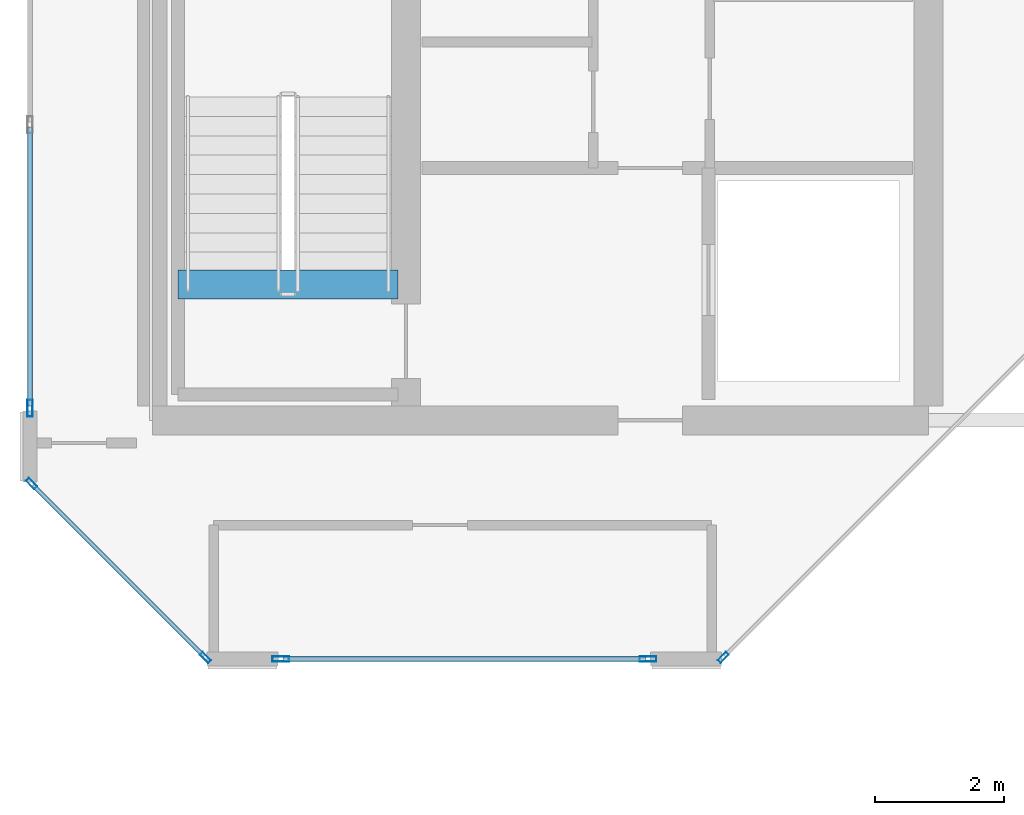
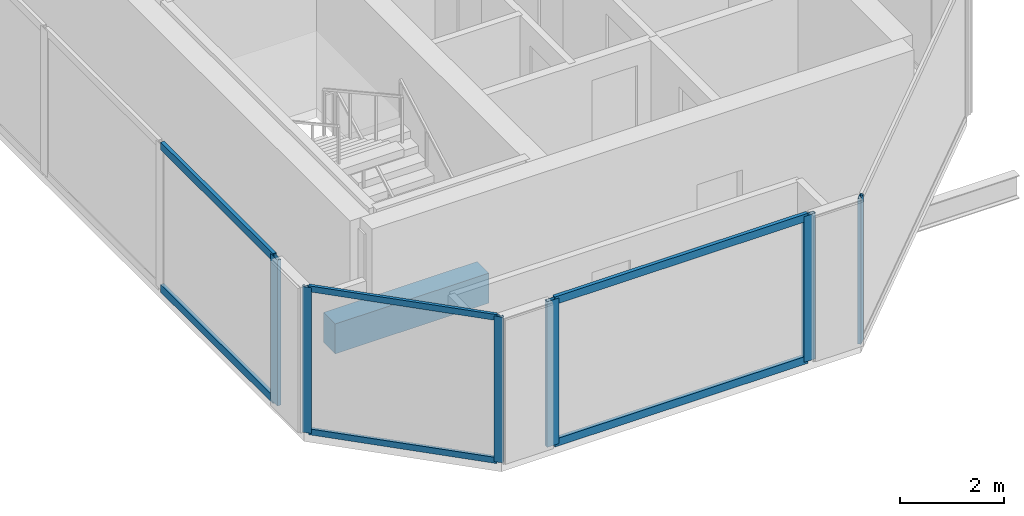
# One storey, part 2 of 28: 12 members, 1 beam, 4 elements without a shape of their own.
"""IFC4 building model written with IfcOpenShell, lengths in metres."""

from ifc_helpers import new_model, si_unit, direction, frame, origin, origin_2d, place, context, subcontext, project, spatial, rectangle, hollow_rectangle, extrude, material, layer, layer_set, material_profile, profile_set, type_object, element, aggregate, save


model = new_model("IFC4")

# Units and contexts
model_context = context("Model", 3, precision=1e-05, world=origin(), true_north=direction((0.0, 1.0)))
body_context = subcontext(model_context, "Body", "Model", "MODEL_VIEW")
ifc_project = project(units=[si_unit("LENGTHUNIT", "METRE"), si_unit("AREAUNIT", "SQUARE_METRE"), si_unit("VOLUMEUNIT", "CUBIC_METRE"), si_unit("PLANEANGLEUNIT", "RADIAN"), si_unit("MASSUNIT", "GRAM", prefix="KILO")], contexts=[model_context])

# Site, building, storey
site_placement = place(None, origin())
site = spatial("IfcSite", under=ifc_project, at=site_placement, CompositionType="ELEMENT")
building_placement = place(site_placement, origin())
building = spatial("IfcBuilding", under=site, at=building_placement, Name="Tanjung Sevakor Pilgrim Tower", CompositionType="ELEMENT")
storey_placement = place(building_placement, frame((0.0, 0.0, 249.81005859375)))
storey = spatial("IfcBuildingStorey", under=building, at=storey_placement, Name="L70", CompositionType="ELEMENT", Elevation=249.81005859375)

# Beam
ifc_material_1 = material(Name="Concrete C60/75", Category="concrete")
ifc_material_profile_1 = material_profile(ifc_material_1, rectangle(XDim=0.449951171875, YDim=0.699951171875, at=origin_2d()))
ifc_profile_set_1 = profile_set([ifc_material_profile_1], Name="Concrete C60/75")
beam_type = type_object("IfcBeamType", Name="BM-B-LN3-RC-BM_450x700", PredefinedType="LINTEL", material=ifc_profile_set_1)
beam_placement = place(storey_placement, frame((24.39990234375, 26.699951171875, -0.35009765625), z_axis=(1.0, 0.0, 0.0), x_axis=(0.0, 1.0, 0.0)))
element("IfcBeam", 1, at=beam_placement, inside=storey, type_object=beam_type, Name="L70 TS-W1 Stair Threshold Beam", PredefinedType="LINTEL", context=body_context, shape_type="SweptSolid", body=[
    extrude(rectangle(XDim=0.449951171875, YDim=0.699951171875, at=origin_2d()), origin(), (0.0, 0.0, 1.0), 3.400146484375),
])

# Curtain wall, member
ifc_material_2 = material(Name="Aluminium 6063-T6 and Low-E Glass", Category="aluminium")
ifc_layer_1 = layer(ifc_material_2, 0.179931640625)
ifc_layer_set_1 = layer_set([ifc_layer_1], Name="CW-SYS-CHAM")
curtain_wall_type_1 = type_object("IfcCurtainWallType", Name="CW-SYS-CHAM", PredefinedType="NOTDEFINED", material=ifc_layer_set_1)
curtain_wall_1_placement = place(storey_placement, origin())
curtain_wall_1 = element("IfcCurtainWall", 2, at=curtain_wall_1_placement, inside=storey, type_object=curtain_wall_type_1, Name="L70 Curtain Wall CW-CHM-L70-WEST-1", PredefinedType="NOTDEFINED")
ifc_material_3 = material(Name="Aluminium 6063-T6", Category="aluminium")
ifc_material_profile_2 = material_profile(ifc_material_3, hollow_rectangle(XDim=0.06494140625, YDim=0.179931640625, WallThickness=0.00390625, at=origin_2d()))
ifc_profile_set_2 = profile_set([ifc_material_profile_2], Name="Aluminium 6063-T6")
member_type_1 = type_object("IfcMemberType", Name="TYPE-CWM-1", PredefinedType="MULLION", material=ifc_profile_set_2)
member_1_placement = place(storey_placement, frame((32.827392578125, 20.932861328125, 0.0), z_axis=(0.0, 0.0, 1.0), x_axis=(-0.707106781187, 0.707106781187, 0.0)))
member_1 = element("IfcMember", 3, at=member_1_placement, type_object=member_type_1, Name="CW-CHM mullion 1", PredefinedType="MULLION", context=body_context, shape_type="SweptSolid", body=[
    extrude(hollow_rectangle(XDim=0.06494140625, YDim=0.179931640625, WallThickness=0.00390625, at=origin_2d()), origin(), (0.0, 0.0, 1.0), 3.409912109375),
])
aggregate(curtain_wall_1, [member_1])

# Curtain wall, members
curtain_wall_2_placement = place(storey_placement, origin())
curtain_wall_2 = element("IfcCurtainWall", 4, at=curtain_wall_2_placement, inside=storey, type_object=curtain_wall_type_1, Name="L70 Curtain Wall CW-CHM-L70-WEST-7", PredefinedType="NOTDEFINED")
member_2_placement = place(storey_placement, frame((22.133056640625, 23.62255859375, 0.0), z_axis=(0.0, 0.0, 1.0), x_axis=(0.707106781187, 0.707106781187, 0.0)))
member_2 = element("IfcMember", 5, at=member_2_placement, type_object=member_type_1, Name="CW-CHM mullion 1", PredefinedType="MULLION", context=body_context, shape_type="SweptSolid", body=[
    extrude(hollow_rectangle(XDim=0.06494140625, YDim=0.179931640625, WallThickness=0.00390625, at=origin_2d()), origin(), (0.0, 0.0, 1.0), 3.409912109375),
])
member_3_placement = place(storey_placement, frame((24.822509765625, 20.932861328125, 0.0), z_axis=(0.0, 0.0, 1.0), x_axis=(0.707106781187, 0.707106781187, 0.0)))
member_3 = element("IfcMember", 6, at=member_3_placement, type_object=member_type_1, Name="CW-CHM mullion 2", PredefinedType="MULLION", context=body_context, shape_type="SweptSolid", body=[
    extrude(hollow_rectangle(XDim=0.06494140625, YDim=0.179931640625, WallThickness=0.00390625, at=origin_2d()), origin(), (0.0, 0.0, 1.0), 3.409912109375),
])

ifc_material_4 = material(Name="Aluminium 6063-T6 and Low-E Glass", Category="aluminium")
ifc_layer_2 = layer(ifc_material_4, 0.199951171875)
ifc_layer_set_2 = layer_set([ifc_layer_2], Name="CW-SYS-CRNW")
curtain_wall_type_2 = type_object("IfcCurtainWallType", Name="CW-SYS-CRNW", PredefinedType="NOTDEFINED", material=ifc_layer_set_2)
curtain_wall_3_placement = place(storey_placement, origin())
curtain_wall_3 = element("IfcCurtainWall", 7, at=curtain_wall_3_placement, inside=storey, type_object=curtain_wall_type_2, Name="L70 Curtain Wall CW-CRN-L70-WEST-0-1", PredefinedType="NOTDEFINED")
ifc_material_5 = material(Name="Aluminium 6063-T6", Category="aluminium")
ifc_material_profile_3 = material_profile(ifc_material_5, hollow_rectangle(XDim=0.080078125, YDim=0.260009765625, WallThickness=0.0048828125, at=origin_2d()))
ifc_profile_set_3 = profile_set([ifc_material_profile_3], Name="Aluminium 6063-T6")
member_type_2 = type_object("IfcMemberType", Name="TYPE-CWM-3", PredefinedType="MULLION", material=ifc_profile_set_3)
member_4_placement = place(storey_placement, frame((25.985595703125, 20.909912109375, 0.0), z_axis=(0.0, 0.0, 1.0), x_axis=(0.0, 1.0, 0.0)))
member_4 = element("IfcMember", 8, at=member_4_placement, type_object=member_type_2, Name="CW-CRW mullion 1", PredefinedType="MULLION", context=body_context, shape_type="SweptSolid", body=[
    extrude(hollow_rectangle(XDim=0.080078125, YDim=0.260009765625, WallThickness=0.0048828125, at=origin_2d()), origin(), (0.0, 0.0, 1.0), 3.409912109375),
])
member_5_placement = place(storey_placement, frame((31.664306640625, 20.909912109375, 0.0), z_axis=(0.0, 0.0, 1.0), x_axis=(0.0, 1.0, 0.0)))
member_5 = element("IfcMember", 9, at=member_5_placement, type_object=member_type_2, Name="CW-CRW mullion 2", PredefinedType="MULLION", context=body_context, shape_type="SweptSolid", body=[
    extrude(hollow_rectangle(XDim=0.080078125, YDim=0.260009765625, WallThickness=0.0048828125, at=origin_2d()), origin(), (0.0, 0.0, 1.0), 3.409912109375),
])

# Curtain wall, member
curtain_wall_4_placement = place(storey_placement, origin())
curtain_wall_4 = element("IfcCurtainWall", 10, at=curtain_wall_4_placement, inside=storey, type_object=curtain_wall_type_2, Name="L70 Curtain Wall CW-CRN-L70-WEST-6-1", PredefinedType="NOTDEFINED")
member_6_placement = place(storey_placement, frame((22.110107421875, 24.78564453125, 0.0), z_axis=(0.0, 0.0, 1.0), x_axis=(1.0, 0.0, 0.0)))
member_6 = element("IfcMember", 11, at=member_6_placement, type_object=member_type_2, Name="CW-CRW mullion 5", PredefinedType="MULLION", context=body_context, shape_type="SweptSolid", body=[
    extrude(hollow_rectangle(XDim=0.080078125, YDim=0.260009765625, WallThickness=0.0048828125, at=origin_2d()), origin(), (0.0, 0.0, 1.0), 3.409912109375),
])

# Member
ifc_material_6 = material(Name="Aluminium 6063-T6", Category="aluminium")
ifc_material_profile_4 = material_profile(ifc_material_6, hollow_rectangle(XDim=0.06494140625, YDim=0.139892578125, WallThickness=0.00390625, at=origin_2d()))
ifc_profile_set_4 = profile_set([ifc_material_profile_4], Name="Aluminium 6063-T6")
member_type_3 = type_object("IfcMemberType", Name="TYPE-CWT-1", PredefinedType="USERDEFINED", material=ifc_profile_set_4)
member_7_placement = place(storey_placement, frame((22.156005859375, 23.599609375, 0.032470703125), z_axis=(0.707106781187, -0.707106781187, 0.0), x_axis=(0.707106781187, 0.707106781187, 0.0)))
member_7 = element("IfcMember", 12, at=member_7_placement, type_object=member_type_3, Name="CW-CHM transom 1.1", ObjectType="TRANSOM", PredefinedType="USERDEFINED", context=body_context, shape_type="SweptSolid", body=[
    extrude(hollow_rectangle(XDim=0.06494140625, YDim=0.139892578125, WallThickness=0.00390625, at=origin_2d()), origin(), (0.0, 0.0, 1.0), 3.738525390625),
])

member_8_placement = place(storey_placement, frame((22.156005859375, 23.599609375, 3.37744140625), z_axis=(0.707106781187, -0.707106781187, 0.0), x_axis=(0.707106781187, 0.707106781187, 0.0)))
member_8 = element("IfcMember", 13, at=member_8_placement, type_object=member_type_3, Name="CW-CHM transom 1.2", ObjectType="TRANSOM", PredefinedType="USERDEFINED", context=body_context, shape_type="SweptSolid", body=[
    extrude(hollow_rectangle(XDim=0.06494140625, YDim=0.139892578125, WallThickness=0.00390625, at=origin_2d()), origin(), (0.0, 0.0, 1.0), 3.738525390625),
])

aggregate(curtain_wall_2, [member_2, member_3, member_7, member_8])

ifc_material_7 = material(Name="Aluminium 6063-T6", Category="aluminium")
ifc_material_profile_5 = material_profile(ifc_material_7, hollow_rectangle(XDim=0.080078125, YDim=0.179931640625, WallThickness=0.0048828125, at=origin_2d()))
ifc_profile_set_5 = profile_set([ifc_material_profile_5], Name="Aluminium 6063-T6")
member_type_4 = type_object("IfcMemberType", Name="TYPE-CWT-3", PredefinedType="USERDEFINED", material=ifc_profile_set_5)
member_9_placement = place(storey_placement, frame((26.025634765625, 20.909912109375, 0.0400390625), z_axis=(1.0, 0.0, 0.0), x_axis=(0.0, 1.0, 0.0)))
member_9 = element("IfcMember", 14, at=member_9_placement, type_object=member_type_4, Name="CW-CRW transom 1.1", ObjectType="TRANSOM", PredefinedType="USERDEFINED", context=body_context, shape_type="SweptSolid", body=[
    extrude(hollow_rectangle(XDim=0.080078125, YDim=0.179931640625, WallThickness=0.0048828125, at=origin_2d()), origin(), (0.0, 0.0, 1.0), 5.598876953125),
])

member_10_placement = place(storey_placement, frame((26.025634765625, 20.909912109375, 3.369873046875), z_axis=(1.0, 0.0, 0.0), x_axis=(0.0, 1.0, 0.0)))
member_10 = element("IfcMember", 15, at=member_10_placement, type_object=member_type_4, Name="CW-CRW transom 1.2", ObjectType="TRANSOM", PredefinedType="USERDEFINED", context=body_context, shape_type="SweptSolid", body=[
    extrude(hollow_rectangle(XDim=0.080078125, YDim=0.179931640625, WallThickness=0.0048828125, at=origin_2d()), origin(), (0.0, 0.0, 1.0), 5.598876953125),
])

aggregate(curtain_wall_3, [member_4, member_5, member_9, member_10])

member_11_placement = place(storey_placement, frame((22.110107421875, 29.1328125, 0.0400390625), z_axis=(0.0, -1.0, 0.0), x_axis=(1.0, 0.0, 0.0)))
member_11 = element("IfcMember", 16, at=member_11_placement, type_object=member_type_4, Name="CW-CRW transom 4.1", ObjectType="TRANSOM", PredefinedType="USERDEFINED", context=body_context, shape_type="SweptSolid", body=[
    extrude(hollow_rectangle(XDim=0.080078125, YDim=0.179931640625, WallThickness=0.0048828125, at=origin_2d()), origin(), (0.0, 0.0, 1.0), 4.30712890625),
])

member_12_placement = place(storey_placement, frame((22.110107421875, 29.1328125, 3.369873046875), z_axis=(0.0, -1.0, 0.0), x_axis=(1.0, 0.0, 0.0)))
member_12 = element("IfcMember", 17, at=member_12_placement, type_object=member_type_4, Name="CW-CRW transom 4.2", ObjectType="TRANSOM", PredefinedType="USERDEFINED", context=body_context, shape_type="SweptSolid", body=[
    extrude(hollow_rectangle(XDim=0.080078125, YDim=0.179931640625, WallThickness=0.0048828125, at=origin_2d()), origin(), (0.0, 0.0, 1.0), 4.30712890625),
])

aggregate(curtain_wall_4, [member_6, member_11, member_12])

save(model, "model.ifc")
